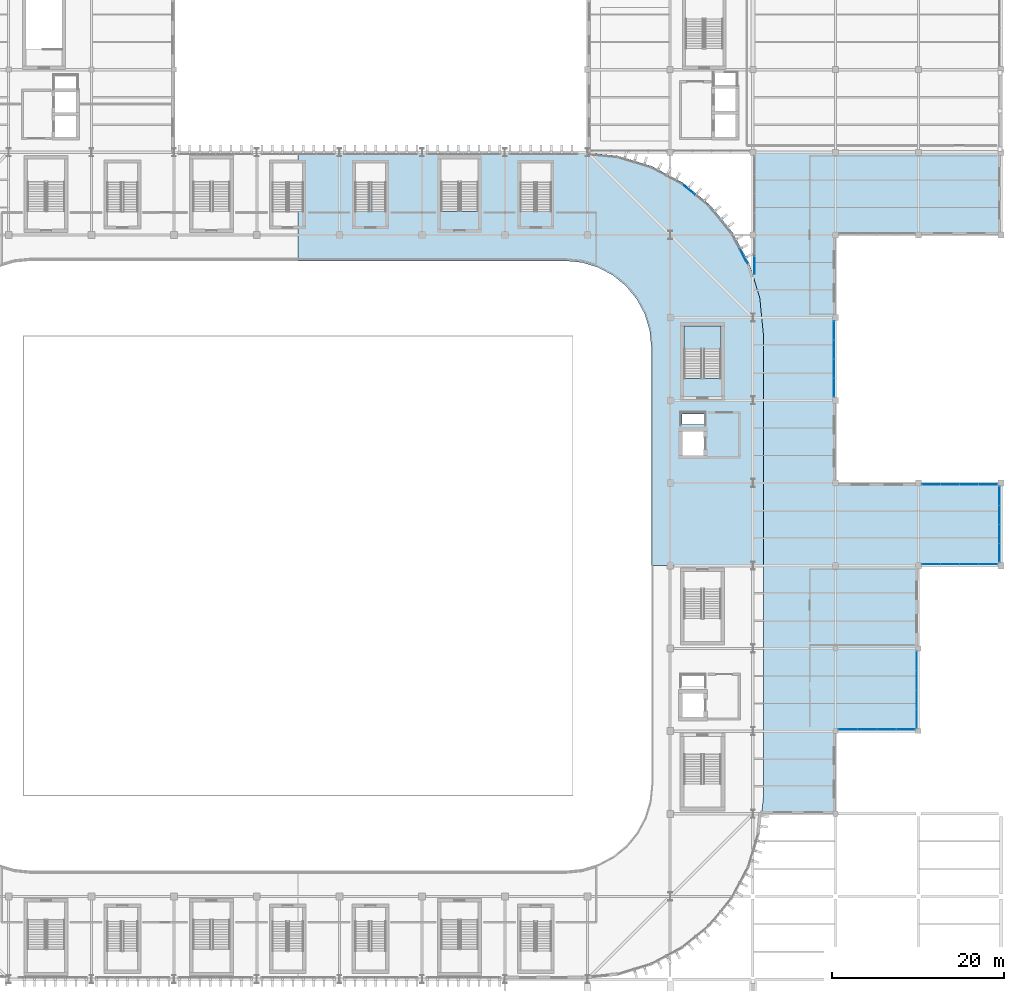
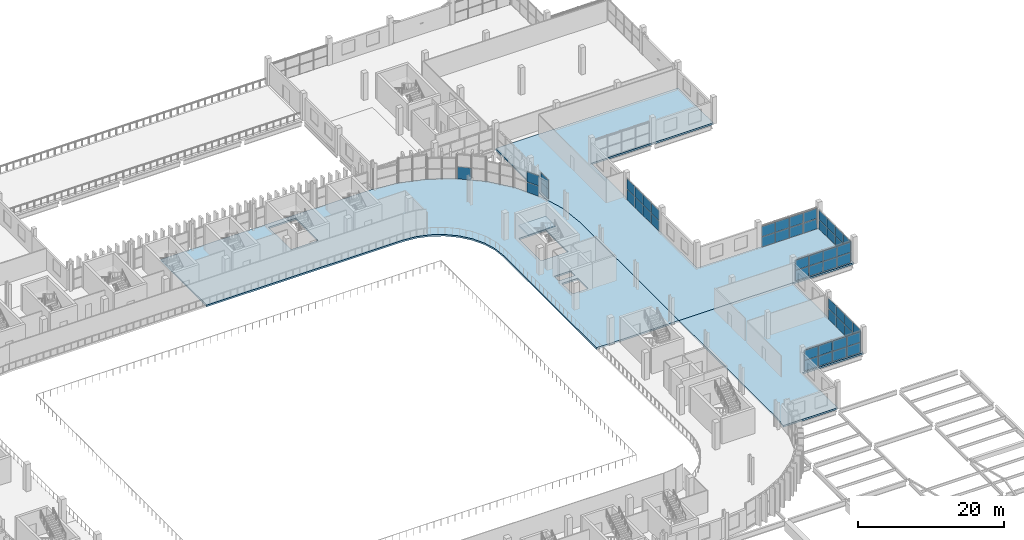
# One storey, part 40 of 75: 53 plates, 4 slabs, 10 elements without a shape of their own.
"""IFC4 building model written with IfcOpenShell, lengths in metres."""

from ifc_helpers import new_model, si_unit, direction, frame, origin, origin_2d, place, context, subcontext, project, spatial, polyline, rectangle, outline, extrude, material, layer, layer_set, type_object, element, aggregate, save


model = new_model("IFC4")

# Units and contexts
model_context = context("Model", 3, precision=1e-05, world=origin(), true_north=direction((0.0, 1.0)))
body_context = subcontext(model_context, "Body", "Model", "MODEL_VIEW")
ifc_project = project(units=[si_unit("LENGTHUNIT", "METRE"), si_unit("AREAUNIT", "SQUARE_METRE"), si_unit("VOLUMEUNIT", "CUBIC_METRE"), si_unit("PLANEANGLEUNIT", "RADIAN"), si_unit("MASSUNIT", "GRAM", prefix="KILO")], contexts=[model_context])

# Site, building, storey
site_placement = place(None, origin())
site = spatial("IfcSite", under=ifc_project, at=site_placement, CompositionType="ELEMENT")
building_placement = place(site_placement, origin())
building = spatial("IfcBuilding", under=site, at=building_placement, Name="Caelomonte Colonnade Arena", CompositionType="ELEMENT")
storey_placement = place(building_placement, frame((0.0, 0.0, 14.10009765625)))
storey = spatial("IfcBuildingStorey", under=building, at=storey_placement, Name="L03", CompositionType="ELEMENT", Elevation=14.10009765625)

# Curtain wall, plates
ifc_material_1 = material(Name="Bronze anodised aluminium and low-E glazing", Category="aluminium")
ifc_layer_1 = layer(ifc_material_1, 0.179931640625)
ifc_layer_set_1 = layer_set([ifc_layer_1], Name="Bronze anodised aluminium and low-E glazing")
curtain_wall_type_1 = type_object("IfcCurtainWallType", Name="ENV-CW-CW-L03-96-36", PredefinedType="USERDEFINED", material=ifc_layer_set_1)
curtain_wall_1_placement = place(storey_placement, origin())
curtain_wall_1 = element("IfcCurtainWall", 1, at=curtain_wall_1_placement, inside=storey, type_object=curtain_wall_type_1, Name="L03 unitized curtain wall CW-L03-1776-0482", ObjectType="UNITIZED CURTAIN WALL", PredefinedType="USERDEFINED")
ifc_material_2 = material(Name="Solar-control bronze low-E double glazing", Category="glass")
ifc_layer_2 = layer(ifc_material_2, 0.035888671875)
ifc_layer_set_2 = layer_set([ifc_layer_2], Name="Solar-control bronze low-E double glazing")
plate_type = type_object("IfcPlateType", Name="ENV-CW-PAN36", PredefinedType="CURTAIN_PANEL", material=ifc_layer_set_2)
plate_1_placement = place(storey_placement, frame((174.25634765625, 48.179931640625, 0.06494140625), z_axis=(0.0, 0.0, 1.0), x_axis=(1.0, 0.0, 0.0)))
plate_1 = element("IfcPlate", 2, at=plate_1_placement, type_object=plate_type, Name="CW-L03-96-36 panel 1.1", PredefinedType="CURTAIN_PANEL", context=body_context, shape_type="SweptSolid", body=[
    extrude(rectangle(XDim=2.142578125, YDim=0.035888671875, at=origin_2d()), origin(), (0.0, 0.0, 1.0), 1.680908203125),
])
plate_2_placement = place(storey_placement, frame((174.25634765625, 48.179931640625, 1.810546875), z_axis=(0.0, 0.0, 1.0), x_axis=(1.0, 0.0, 0.0)))
plate_2 = element("IfcPlate", 3, at=plate_2_placement, type_object=plate_type, Name="CW-L03-96-36 panel 1.2", PredefinedType="CURTAIN_PANEL", context=body_context, shape_type="SweptSolid", body=[
    extrude(rectangle(XDim=2.142578125, YDim=0.035888671875, at=origin_2d()), origin(), (0.0, 0.0, 1.0), 1.680908203125),
])
plate_3_placement = place(storey_placement, frame((176.47998046875, 48.179931640625, 0.06494140625), z_axis=(0.0, 0.0, 1.0), x_axis=(1.0, 0.0, 0.0)))
plate_3 = element("IfcPlate", 4, at=plate_3_placement, type_object=plate_type, Name="CW-L03-96-36 panel 2.1", PredefinedType="CURTAIN_PANEL", context=body_context, shape_type="SweptSolid", body=[
    extrude(rectangle(XDim=2.175048828125, YDim=0.035888671875, at=origin_2d()), origin(), (0.0, 0.0, 1.0), 1.680908203125),
])
plate_4_placement = place(storey_placement, frame((176.47998046875, 48.179931640625, 1.810546875), z_axis=(0.0, 0.0, 1.0), x_axis=(1.0, 0.0, 0.0)))
plate_4 = element("IfcPlate", 5, at=plate_4_placement, type_object=plate_type, Name="CW-L03-96-36 panel 2.2", PredefinedType="CURTAIN_PANEL", context=body_context, shape_type="SweptSolid", body=[
    extrude(rectangle(XDim=2.175048828125, YDim=0.035888671875, at=origin_2d()), origin(), (0.0, 0.0, 1.0), 1.680908203125),
])
plate_5_placement = place(storey_placement, frame((178.719970703125, 48.179931640625, 0.06494140625), z_axis=(0.0, 0.0, 1.0), x_axis=(1.0, 0.0, 0.0)))
plate_5 = element("IfcPlate", 6, at=plate_5_placement, type_object=plate_type, Name="CW-L03-96-36 panel 3.1", PredefinedType="CURTAIN_PANEL", context=body_context, shape_type="SweptSolid", body=[
    extrude(rectangle(XDim=2.175048828125, YDim=0.035888671875, at=origin_2d()), origin(), (0.0, 0.0, 1.0), 1.680908203125),
])
plate_6_placement = place(storey_placement, frame((178.719970703125, 48.179931640625, 1.810546875), z_axis=(0.0, 0.0, 1.0), x_axis=(1.0, 0.0, 0.0)))
plate_6 = element("IfcPlate", 7, at=plate_6_placement, type_object=plate_type, Name="CW-L03-96-36 panel 3.2", PredefinedType="CURTAIN_PANEL", context=body_context, shape_type="SweptSolid", body=[
    extrude(rectangle(XDim=2.175048828125, YDim=0.035888671875, at=origin_2d()), origin(), (0.0, 0.0, 1.0), 1.680908203125),
])
plate_7_placement = place(storey_placement, frame((180.94384765625, 48.179931640625, 0.06494140625), z_axis=(0.0, 0.0, 1.0), x_axis=(1.0, 0.0, 0.0)))
plate_7 = element("IfcPlate", 8, at=plate_7_placement, type_object=plate_type, Name="CW-L03-96-36 panel 4.1", PredefinedType="CURTAIN_PANEL", context=body_context, shape_type="SweptSolid", body=[
    extrude(rectangle(XDim=2.142578125, YDim=0.035888671875, at=origin_2d()), origin(), (0.0, 0.0, 1.0), 1.680908203125),
])
plate_8_placement = place(storey_placement, frame((180.94384765625, 48.179931640625, 1.810546875), z_axis=(0.0, 0.0, 1.0), x_axis=(1.0, 0.0, 0.0)))
plate_8 = element("IfcPlate", 9, at=plate_8_placement, type_object=plate_type, Name="CW-L03-96-36 panel 4.2", PredefinedType="CURTAIN_PANEL", context=body_context, shape_type="SweptSolid", body=[
    extrude(rectangle(XDim=2.142578125, YDim=0.035888671875, at=origin_2d()), origin(), (0.0, 0.0, 1.0), 1.680908203125),
])
aggregate(curtain_wall_1, [plate_1, plate_2, plate_3, plate_4, plate_5, plate_6, plate_7, plate_8])

curtain_wall_2_placement = place(storey_placement, origin())
curtain_wall_2 = element("IfcCurtainWall", 10, at=curtain_wall_2_placement, inside=storey, type_object=curtain_wall_type_1, Name="L03 unitized curtain wall CW-L03-1822-0528", ObjectType="UNITIZED CURTAIN WALL", PredefinedType="USERDEFINED")
plate_9_placement = place(storey_placement, frame((182.219970703125, 49.456298828125, 0.06494140625), z_axis=(0.0, 0.0, 1.0), x_axis=(0.0, 1.0, 0.0)))
plate_9 = element("IfcPlate", 11, at=plate_9_placement, type_object=plate_type, Name="CW-L03-96-36 panel 1.1", PredefinedType="CURTAIN_PANEL", context=body_context, shape_type="SweptSolid", body=[
    extrude(rectangle(XDim=2.142578125, YDim=0.035888671875, at=origin_2d()), origin(), (0.0, 0.0, 1.0), 1.721435546875),
])
plate_10_placement = place(storey_placement, frame((182.219970703125, 49.456298828125, 1.8515625), z_axis=(0.0, 0.0, 1.0), x_axis=(0.0, 1.0, 0.0)))
plate_10 = element("IfcPlate", 12, at=plate_10_placement, type_object=plate_type, Name="CW-L03-96-36 panel 1.2", PredefinedType="CURTAIN_PANEL", context=body_context, shape_type="SweptSolid", body=[
    extrude(rectangle(XDim=2.142578125, YDim=0.035888671875, at=origin_2d()), origin(), (0.0, 0.0, 1.0), 1.721435546875),
])
plate_11_placement = place(storey_placement, frame((182.219970703125, 51.679931640625, 0.06494140625), z_axis=(0.0, 0.0, 1.0), x_axis=(0.0, 1.0, 0.0)))
plate_11 = element("IfcPlate", 13, at=plate_11_placement, type_object=plate_type, Name="CW-L03-96-36 panel 2.1", PredefinedType="CURTAIN_PANEL", context=body_context, shape_type="SweptSolid", body=[
    extrude(rectangle(XDim=2.175048828125, YDim=0.035888671875, at=origin_2d()), origin(), (0.0, 0.0, 1.0), 1.721435546875),
])
plate_12_placement = place(storey_placement, frame((182.219970703125, 51.679931640625, 1.8515625), z_axis=(0.0, 0.0, 1.0), x_axis=(0.0, 1.0, 0.0)))
plate_12 = element("IfcPlate", 14, at=plate_12_placement, type_object=plate_type, Name="CW-L03-96-36 panel 2.2", PredefinedType="CURTAIN_PANEL", context=body_context, shape_type="SweptSolid", body=[
    extrude(rectangle(XDim=2.175048828125, YDim=0.035888671875, at=origin_2d()), origin(), (0.0, 0.0, 1.0), 1.721435546875),
])
plate_13_placement = place(storey_placement, frame((182.219970703125, 53.919921875, 0.06494140625), z_axis=(0.0, 0.0, 1.0), x_axis=(0.0, 1.0, 0.0)))
plate_13 = element("IfcPlate", 15, at=plate_13_placement, type_object=plate_type, Name="CW-L03-96-36 panel 3.1", PredefinedType="CURTAIN_PANEL", context=body_context, shape_type="SweptSolid", body=[
    extrude(rectangle(XDim=2.175048828125, YDim=0.035888671875, at=origin_2d()), origin(), (0.0, 0.0, 1.0), 1.721435546875),
])
plate_14_placement = place(storey_placement, frame((182.219970703125, 53.919921875, 1.8515625), z_axis=(0.0, 0.0, 1.0), x_axis=(0.0, 1.0, 0.0)))
plate_14 = element("IfcPlate", 16, at=plate_14_placement, type_object=plate_type, Name="CW-L03-96-36 panel 3.2", PredefinedType="CURTAIN_PANEL", context=body_context, shape_type="SweptSolid", body=[
    extrude(rectangle(XDim=2.175048828125, YDim=0.035888671875, at=origin_2d()), origin(), (0.0, 0.0, 1.0), 1.721435546875),
])
plate_15_placement = place(storey_placement, frame((182.219970703125, 56.143798828125, 0.06494140625), z_axis=(0.0, 0.0, 1.0), x_axis=(0.0, 1.0, 0.0)))
plate_15 = element("IfcPlate", 17, at=plate_15_placement, type_object=plate_type, Name="CW-L03-96-36 panel 4.1", PredefinedType="CURTAIN_PANEL", context=body_context, shape_type="SweptSolid", body=[
    extrude(rectangle(XDim=2.142578125, YDim=0.035888671875, at=origin_2d()), origin(), (0.0, 0.0, 1.0), 1.721435546875),
])
plate_16_placement = place(storey_placement, frame((182.219970703125, 56.143798828125, 1.8515625), z_axis=(0.0, 0.0, 1.0), x_axis=(0.0, 1.0, 0.0)))
plate_16 = element("IfcPlate", 18, at=plate_16_placement, type_object=plate_type, Name="CW-L03-96-36 panel 4.2", PredefinedType="CURTAIN_PANEL", context=body_context, shape_type="SweptSolid", body=[
    extrude(rectangle(XDim=2.142578125, YDim=0.035888671875, at=origin_2d()), origin(), (0.0, 0.0, 1.0), 1.721435546875),
])
aggregate(curtain_wall_2, [plate_9, plate_10, plate_11, plate_12, plate_13, plate_14, plate_15, plate_16])

curtain_wall_3_placement = place(storey_placement, origin())
curtain_wall_3 = element("IfcCurtainWall", 19, at=curtain_wall_3_placement, inside=storey, type_object=curtain_wall_type_1, Name="L03 unitized curtain wall CW-L03-1872-0674", ObjectType="UNITIZED CURTAIN WALL", PredefinedType="USERDEFINED")
plate_17_placement = place(storey_placement, frame((183.893798828125, 67.3798828125, 0.06494140625), z_axis=(0.0, 0.0, 1.0), x_axis=(1.0, 0.0, 0.0)))
plate_17 = element("IfcPlate", 20, at=plate_17_placement, type_object=plate_type, Name="CW-L03-96-36 panel 1.1", PredefinedType="CURTAIN_PANEL", context=body_context, shape_type="SweptSolid", body=[
    extrude(rectangle(XDim=2.117431640625, YDim=0.035888671875, at=origin_2d()), origin(), (0.0, 0.0, 1.0), 1.680908203125),
])
plate_18_placement = place(storey_placement, frame((183.893798828125, 67.3798828125, 1.810546875), z_axis=(0.0, 0.0, 1.0), x_axis=(1.0, 0.0, 0.0)))
plate_18 = element("IfcPlate", 21, at=plate_18_placement, type_object=plate_type, Name="CW-L03-96-36 panel 1.2", PredefinedType="CURTAIN_PANEL", context=body_context, shape_type="SweptSolid", body=[
    extrude(rectangle(XDim=2.117431640625, YDim=0.035888671875, at=origin_2d()), origin(), (0.0, 0.0, 1.0), 1.680908203125),
])
plate_19_placement = place(storey_placement, frame((186.092529296875, 67.3798828125, 0.06494140625), z_axis=(0.0, 0.0, 1.0), x_axis=(1.0, 0.0, 0.0)))
plate_19 = element("IfcPlate", 22, at=plate_19_placement, type_object=plate_type, Name="CW-L03-96-36 panel 2.1", PredefinedType="CURTAIN_PANEL", context=body_context, shape_type="SweptSolid", body=[
    extrude(rectangle(XDim=2.14990234375, YDim=0.035888671875, at=origin_2d()), origin(), (0.0, 0.0, 1.0), 1.680908203125),
])
plate_20_placement = place(storey_placement, frame((186.092529296875, 67.3798828125, 1.810546875), z_axis=(0.0, 0.0, 1.0), x_axis=(1.0, 0.0, 0.0)))
plate_20 = element("IfcPlate", 23, at=plate_20_placement, type_object=plate_type, Name="CW-L03-96-36 panel 2.2", PredefinedType="CURTAIN_PANEL", context=body_context, shape_type="SweptSolid", body=[
    extrude(rectangle(XDim=2.14990234375, YDim=0.035888671875, at=origin_2d()), origin(), (0.0, 0.0, 1.0), 1.680908203125),
])
plate_21_placement = place(storey_placement, frame((188.3076171875, 67.3798828125, 0.06494140625), z_axis=(0.0, 0.0, 1.0), x_axis=(1.0, 0.0, 0.0)))
plate_21 = element("IfcPlate", 24, at=plate_21_placement, type_object=plate_type, Name="CW-L03-96-36 panel 3.1", PredefinedType="CURTAIN_PANEL", context=body_context, shape_type="SweptSolid", body=[
    extrude(rectangle(XDim=2.14990234375, YDim=0.035888671875, at=origin_2d()), origin(), (0.0, 0.0, 1.0), 1.680908203125),
])
plate_22_placement = place(storey_placement, frame((188.3076171875, 67.3798828125, 1.810546875), z_axis=(0.0, 0.0, 1.0), x_axis=(1.0, 0.0, 0.0)))
plate_22 = element("IfcPlate", 25, at=plate_22_placement, type_object=plate_type, Name="CW-L03-96-36 panel 3.2", PredefinedType="CURTAIN_PANEL", context=body_context, shape_type="SweptSolid", body=[
    extrude(rectangle(XDim=2.14990234375, YDim=0.035888671875, at=origin_2d()), origin(), (0.0, 0.0, 1.0), 1.680908203125),
])
plate_23_placement = place(storey_placement, frame((190.50634765625, 67.3798828125, 0.06494140625), z_axis=(0.0, 0.0, 1.0), x_axis=(1.0, 0.0, 0.0)))
plate_23 = element("IfcPlate", 26, at=plate_23_placement, type_object=plate_type, Name="CW-L03-96-36 panel 4.1", PredefinedType="CURTAIN_PANEL", context=body_context, shape_type="SweptSolid", body=[
    extrude(rectangle(XDim=2.117431640625, YDim=0.035888671875, at=origin_2d()), origin(), (0.0, 0.0, 1.0), 1.680908203125),
])
plate_24_placement = place(storey_placement, frame((190.50634765625, 67.3798828125, 1.810546875), z_axis=(0.0, 0.0, 1.0), x_axis=(1.0, 0.0, 0.0)))
plate_24 = element("IfcPlate", 27, at=plate_24_placement, type_object=plate_type, Name="CW-L03-96-36 panel 4.2", PredefinedType="CURTAIN_PANEL", context=body_context, shape_type="SweptSolid", body=[
    extrude(rectangle(XDim=2.117431640625, YDim=0.035888671875, at=origin_2d()), origin(), (0.0, 0.0, 1.0), 1.680908203125),
])
aggregate(curtain_wall_3, [plate_17, plate_18, plate_19, plate_20, plate_21, plate_22, plate_23, plate_24])

ifc_layer_3 = layer(ifc_material_1, 0.179931640625)
ifc_layer_set_3 = layer_set([ifc_layer_3], Name="Bronze anodised aluminium and low-E glazing")
curtain_wall_type_2 = type_object("IfcCurtainWallType", Name="ENV-CW-CW-L03-96-33", PredefinedType="USERDEFINED", material=ifc_layer_set_3)
curtain_wall_4_placement = place(storey_placement, origin())
curtain_wall_4 = element("IfcCurtainWall", 28, at=curtain_wall_4_placement, inside=storey, type_object=curtain_wall_type_2, Name="L03 unitized curtain wall CW-L03-1918-0720", ObjectType="UNITIZED CURTAIN WALL", PredefinedType="USERDEFINED")
plate_25_placement = place(storey_placement, frame((191.820068359375, 68.69384765625, 0.06494140625), z_axis=(0.0, 0.0, 1.0), x_axis=(0.0, 1.0, 0.0)))
plate_25 = element("IfcPlate", 29, at=plate_25_placement, type_object=plate_type, Name="CW-L03-96-33 panel 1.1", PredefinedType="CURTAIN_PANEL", context=body_context, shape_type="SweptSolid", body=[
    extrude(rectangle(XDim=2.117431640625, YDim=0.035888671875, at=origin_2d()), origin(), (0.0, 0.0, 1.0), 1.558837890625),
])
plate_26_placement = place(storey_placement, frame((191.820068359375, 68.69384765625, 1.68896484375), z_axis=(0.0, 0.0, 1.0), x_axis=(0.0, 1.0, 0.0)))
plate_26 = element("IfcPlate", 30, at=plate_26_placement, type_object=plate_type, Name="CW-L03-96-33 panel 1.2", PredefinedType="CURTAIN_PANEL", context=body_context, shape_type="SweptSolid", body=[
    extrude(rectangle(XDim=2.117431640625, YDim=0.035888671875, at=origin_2d()), origin(), (0.0, 0.0, 1.0), 1.558837890625),
])
plate_27_placement = place(storey_placement, frame((191.820068359375, 70.892578125, 0.06494140625), z_axis=(0.0, 0.0, 1.0), x_axis=(0.0, 1.0, 0.0)))
plate_27 = element("IfcPlate", 31, at=plate_27_placement, type_object=plate_type, Name="CW-L03-96-33 panel 2.1", PredefinedType="CURTAIN_PANEL", context=body_context, shape_type="SweptSolid", body=[
    extrude(rectangle(XDim=2.14990234375, YDim=0.035888671875, at=origin_2d()), origin(), (0.0, 0.0, 1.0), 1.558837890625),
])
plate_28_placement = place(storey_placement, frame((191.820068359375, 70.892578125, 1.68896484375), z_axis=(0.0, 0.0, 1.0), x_axis=(0.0, 1.0, 0.0)))
plate_28 = element("IfcPlate", 32, at=plate_28_placement, type_object=plate_type, Name="CW-L03-96-33 panel 2.2", PredefinedType="CURTAIN_PANEL", context=body_context, shape_type="SweptSolid", body=[
    extrude(rectangle(XDim=2.14990234375, YDim=0.035888671875, at=origin_2d()), origin(), (0.0, 0.0, 1.0), 1.558837890625),
])
plate_29_placement = place(storey_placement, frame((191.820068359375, 73.107421875, 0.06494140625), z_axis=(0.0, 0.0, 1.0), x_axis=(0.0, 1.0, 0.0)))
plate_29 = element("IfcPlate", 33, at=plate_29_placement, type_object=plate_type, Name="CW-L03-96-33 panel 3.1", PredefinedType="CURTAIN_PANEL", context=body_context, shape_type="SweptSolid", body=[
    extrude(rectangle(XDim=2.14990234375, YDim=0.035888671875, at=origin_2d()), origin(), (0.0, 0.0, 1.0), 1.558837890625),
])
plate_30_placement = place(storey_placement, frame((191.820068359375, 73.107421875, 1.68896484375), z_axis=(0.0, 0.0, 1.0), x_axis=(0.0, 1.0, 0.0)))
plate_30 = element("IfcPlate", 34, at=plate_30_placement, type_object=plate_type, Name="CW-L03-96-33 panel 3.2", PredefinedType="CURTAIN_PANEL", context=body_context, shape_type="SweptSolid", body=[
    extrude(rectangle(XDim=2.14990234375, YDim=0.035888671875, at=origin_2d()), origin(), (0.0, 0.0, 1.0), 1.558837890625),
])
plate_31_placement = place(storey_placement, frame((191.820068359375, 75.30615234375, 0.06494140625), z_axis=(0.0, 0.0, 1.0), x_axis=(0.0, 1.0, 0.0)))
plate_31 = element("IfcPlate", 35, at=plate_31_placement, type_object=plate_type, Name="CW-L03-96-33 panel 4.1", PredefinedType="CURTAIN_PANEL", context=body_context, shape_type="SweptSolid", body=[
    extrude(rectangle(XDim=2.117431640625, YDim=0.035888671875, at=origin_2d()), origin(), (0.0, 0.0, 1.0), 1.558837890625),
])
plate_32_placement = place(storey_placement, frame((191.820068359375, 75.30615234375, 1.68896484375), z_axis=(0.0, 0.0, 1.0), x_axis=(0.0, 1.0, 0.0)))
plate_32 = element("IfcPlate", 36, at=plate_32_placement, type_object=plate_type, Name="CW-L03-96-33 panel 4.2", PredefinedType="CURTAIN_PANEL", context=body_context, shape_type="SweptSolid", body=[
    extrude(rectangle(XDim=2.117431640625, YDim=0.035888671875, at=origin_2d()), origin(), (0.0, 0.0, 1.0), 1.558837890625),
])
aggregate(curtain_wall_4, [plate_25, plate_26, plate_27, plate_28, plate_29, plate_30, plate_31, plate_32])

curtain_wall_5_placement = place(storey_placement, origin())
curtain_wall_5 = element("IfcCurtainWall", 37, at=curtain_wall_5_placement, inside=storey, type_object=curtain_wall_type_1, Name="L03 unitized curtain wall CW-L03-1872-0766", ObjectType="UNITIZED CURTAIN WALL", PredefinedType="USERDEFINED")
plate_33_placement = place(storey_placement, frame((190.50634765625, 76.6201171875, 0.06494140625), z_axis=(0.0, 0.0, 1.0), x_axis=(-1.0, 0.0, 0.0)))
plate_33 = element("IfcPlate", 38, at=plate_33_placement, type_object=plate_type, Name="CW-L03-96-36 panel 1.1", PredefinedType="CURTAIN_PANEL", context=body_context, shape_type="SweptSolid", body=[
    extrude(rectangle(XDim=2.117431640625, YDim=0.035888671875, at=origin_2d()), origin(), (0.0, 0.0, 1.0), 1.680908203125),
])
plate_34_placement = place(storey_placement, frame((190.50634765625, 76.6201171875, 1.810546875), z_axis=(0.0, 0.0, 1.0), x_axis=(-1.0, 0.0, 0.0)))
plate_34 = element("IfcPlate", 39, at=plate_34_placement, type_object=plate_type, Name="CW-L03-96-36 panel 1.2", PredefinedType="CURTAIN_PANEL", context=body_context, shape_type="SweptSolid", body=[
    extrude(rectangle(XDim=2.117431640625, YDim=0.035888671875, at=origin_2d()), origin(), (0.0, 0.0, 1.0), 1.680908203125),
])
plate_35_placement = place(storey_placement, frame((188.3076171875, 76.6201171875, 0.06494140625), z_axis=(0.0, 0.0, 1.0), x_axis=(-1.0, 0.0, 0.0)))
plate_35 = element("IfcPlate", 40, at=plate_35_placement, type_object=plate_type, Name="CW-L03-96-36 panel 2.1", PredefinedType="CURTAIN_PANEL", context=body_context, shape_type="SweptSolid", body=[
    extrude(rectangle(XDim=2.14990234375, YDim=0.035888671875, at=origin_2d()), origin(), (0.0, 0.0, 1.0), 1.680908203125),
])
plate_36_placement = place(storey_placement, frame((188.3076171875, 76.6201171875, 1.810546875), z_axis=(0.0, 0.0, 1.0), x_axis=(-1.0, 0.0, 0.0)))
plate_36 = element("IfcPlate", 41, at=plate_36_placement, type_object=plate_type, Name="CW-L03-96-36 panel 2.2", PredefinedType="CURTAIN_PANEL", context=body_context, shape_type="SweptSolid", body=[
    extrude(rectangle(XDim=2.14990234375, YDim=0.035888671875, at=origin_2d()), origin(), (0.0, 0.0, 1.0), 1.680908203125),
])
plate_37_placement = place(storey_placement, frame((186.092529296875, 76.6201171875, 0.06494140625), z_axis=(0.0, 0.0, 1.0), x_axis=(-1.0, 0.0, 0.0)))
plate_37 = element("IfcPlate", 42, at=plate_37_placement, type_object=plate_type, Name="CW-L03-96-36 panel 3.1", PredefinedType="CURTAIN_PANEL", context=body_context, shape_type="SweptSolid", body=[
    extrude(rectangle(XDim=2.14990234375, YDim=0.035888671875, at=origin_2d()), origin(), (0.0, 0.0, 1.0), 1.680908203125),
])
plate_38_placement = place(storey_placement, frame((186.092529296875, 76.6201171875, 1.810546875), z_axis=(0.0, 0.0, 1.0), x_axis=(-1.0, 0.0, 0.0)))
plate_38 = element("IfcPlate", 43, at=plate_38_placement, type_object=plate_type, Name="CW-L03-96-36 panel 3.2", PredefinedType="CURTAIN_PANEL", context=body_context, shape_type="SweptSolid", body=[
    extrude(rectangle(XDim=2.14990234375, YDim=0.035888671875, at=origin_2d()), origin(), (0.0, 0.0, 1.0), 1.680908203125),
])
plate_39_placement = place(storey_placement, frame((183.893798828125, 76.6201171875, 0.06494140625), z_axis=(0.0, 0.0, 1.0), x_axis=(-1.0, 0.0, 0.0)))
plate_39 = element("IfcPlate", 44, at=plate_39_placement, type_object=plate_type, Name="CW-L03-96-36 panel 4.1", PredefinedType="CURTAIN_PANEL", context=body_context, shape_type="SweptSolid", body=[
    extrude(rectangle(XDim=2.117431640625, YDim=0.035888671875, at=origin_2d()), origin(), (0.0, 0.0, 1.0), 1.680908203125),
])
plate_40_placement = place(storey_placement, frame((183.893798828125, 76.6201171875, 1.810546875), z_axis=(0.0, 0.0, 1.0), x_axis=(-1.0, 0.0, 0.0)))
plate_40 = element("IfcPlate", 45, at=plate_40_placement, type_object=plate_type, Name="CW-L03-96-36 panel 4.2", PredefinedType="CURTAIN_PANEL", context=body_context, shape_type="SweptSolid", body=[
    extrude(rectangle(XDim=2.117431640625, YDim=0.035888671875, at=origin_2d()), origin(), (0.0, 0.0, 1.0), 1.680908203125),
])
aggregate(curtain_wall_5, [plate_33, plate_34, plate_35, plate_36, plate_37, plate_38, plate_39, plate_40])

curtain_wall_6_placement = place(storey_placement, origin())
curtain_wall_6 = element("IfcCurtainWall", 46, at=curtain_wall_6_placement, inside=storey, type_object=curtain_wall_type_1, Name="L03 unitized curtain wall CW-L03-1726-0912", ObjectType="UNITIZED CURTAIN WALL", PredefinedType="USERDEFINED")
plate_41_placement = place(storey_placement, frame((172.6201171875, 87.893798828125, 0.06494140625), z_axis=(0.0, 0.0, 1.0), x_axis=(0.0, 1.0, 0.0)))
plate_41 = element("IfcPlate", 47, at=plate_41_placement, type_object=plate_type, Name="CW-L03-96-36 panel 1.1", PredefinedType="CURTAIN_PANEL", context=body_context, shape_type="SweptSolid", body=[
    extrude(rectangle(XDim=2.117431640625, YDim=0.035888671875, at=origin_2d()), origin(), (0.0, 0.0, 1.0), 1.721435546875),
])
plate_42_placement = place(storey_placement, frame((172.6201171875, 87.893798828125, 1.8515625), z_axis=(0.0, 0.0, 1.0), x_axis=(0.0, 1.0, 0.0)))
plate_42 = element("IfcPlate", 48, at=plate_42_placement, type_object=plate_type, Name="CW-L03-96-36 panel 1.2", PredefinedType="CURTAIN_PANEL", context=body_context, shape_type="SweptSolid", body=[
    extrude(rectangle(XDim=2.117431640625, YDim=0.035888671875, at=origin_2d()), origin(), (0.0, 0.0, 1.0), 1.721435546875),
])
plate_43_placement = place(storey_placement, frame((172.6201171875, 90.092529296875, 0.06494140625), z_axis=(0.0, 0.0, 1.0), x_axis=(0.0, 1.0, 0.0)))
plate_43 = element("IfcPlate", 49, at=plate_43_placement, type_object=plate_type, Name="CW-L03-96-36 panel 2.1", PredefinedType="CURTAIN_PANEL", context=body_context, shape_type="SweptSolid", body=[
    extrude(rectangle(XDim=2.14990234375, YDim=0.035888671875, at=origin_2d()), origin(), (0.0, 0.0, 1.0), 1.721435546875),
])
plate_44_placement = place(storey_placement, frame((172.6201171875, 90.092529296875, 1.8515625), z_axis=(0.0, 0.0, 1.0), x_axis=(0.0, 1.0, 0.0)))
plate_44 = element("IfcPlate", 50, at=plate_44_placement, type_object=plate_type, Name="CW-L03-96-36 panel 2.2", PredefinedType="CURTAIN_PANEL", context=body_context, shape_type="SweptSolid", body=[
    extrude(rectangle(XDim=2.14990234375, YDim=0.035888671875, at=origin_2d()), origin(), (0.0, 0.0, 1.0), 1.721435546875),
])
plate_45_placement = place(storey_placement, frame((172.6201171875, 92.3076171875, 0.06494140625), z_axis=(0.0, 0.0, 1.0), x_axis=(0.0, 1.0, 0.0)))
plate_45 = element("IfcPlate", 51, at=plate_45_placement, type_object=plate_type, Name="CW-L03-96-36 panel 3.1", PredefinedType="CURTAIN_PANEL", context=body_context, shape_type="SweptSolid", body=[
    extrude(rectangle(XDim=2.14990234375, YDim=0.035888671875, at=origin_2d()), origin(), (0.0, 0.0, 1.0), 1.721435546875),
])
plate_46_placement = place(storey_placement, frame((172.6201171875, 92.3076171875, 1.8515625), z_axis=(0.0, 0.0, 1.0), x_axis=(0.0, 1.0, 0.0)))
plate_46 = element("IfcPlate", 52, at=plate_46_placement, type_object=plate_type, Name="CW-L03-96-36 panel 3.2", PredefinedType="CURTAIN_PANEL", context=body_context, shape_type="SweptSolid", body=[
    extrude(rectangle(XDim=2.14990234375, YDim=0.035888671875, at=origin_2d()), origin(), (0.0, 0.0, 1.0), 1.721435546875),
])
plate_47_placement = place(storey_placement, frame((172.6201171875, 94.50634765625, 0.06494140625), z_axis=(0.0, 0.0, 1.0), x_axis=(0.0, 1.0, 0.0)))
plate_47 = element("IfcPlate", 53, at=plate_47_placement, type_object=plate_type, Name="CW-L03-96-36 panel 4.1", PredefinedType="CURTAIN_PANEL", context=body_context, shape_type="SweptSolid", body=[
    extrude(rectangle(XDim=2.117431640625, YDim=0.035888671875, at=origin_2d()), origin(), (0.0, 0.0, 1.0), 1.721435546875),
])
plate_48_placement = place(storey_placement, frame((172.6201171875, 94.50634765625, 1.8515625), z_axis=(0.0, 0.0, 1.0), x_axis=(0.0, 1.0, 0.0)))
plate_48 = element("IfcPlate", 54, at=plate_48_placement, type_object=plate_type, Name="CW-L03-96-36 panel 4.2", PredefinedType="CURTAIN_PANEL", context=body_context, shape_type="SweptSolid", body=[
    extrude(rectangle(XDim=2.117431640625, YDim=0.035888671875, at=origin_2d()), origin(), (0.0, 0.0, 1.0), 1.721435546875),
])
aggregate(curtain_wall_6, [plate_41, plate_42, plate_43, plate_44, plate_45, plate_46, plate_47, plate_48])

ifc_layer_4 = layer(ifc_material_1, 0.179931640625)
ifc_layer_set_4 = layer_set([ifc_layer_4], Name="Bronze anodised aluminium and low-E glazing")
curtain_wall_type_3 = type_object("IfcCurtainWallType", Name="ENV-CW-CW-L03-48-33", PredefinedType="USERDEFINED", material=ifc_layer_set_4)
curtain_wall_7_placement = place(storey_placement, origin())
curtain_wall_7 = element("IfcCurtainWall", 55, at=curtain_wall_7_placement, inside=storey, type_object=curtain_wall_type_3, Name="L03 unitized curtain wall CW-L03-1634-1032", ObjectType="UNITIZED CURTAIN WALL", PredefinedType="USERDEFINED")
plate_49_placement = place(storey_placement, frame((163.3798828125, 102.04833984375, 0.06982421875), z_axis=(0.0, 0.0, 1.0), x_axis=(0.0, -1.0, 0.0)))
plate_49 = element("IfcPlate", 56, at=plate_49_placement, type_object=plate_type, Name="CW-L03-48-33 panel 2.1", PredefinedType="CURTAIN_PANEL", context=body_context, shape_type="SweptSolid", body=[
    extrude(rectangle(XDim=2.02783203125, YDim=0.035888671875, at=origin_2d()), origin(), (0.0, 0.0, 1.0), 1.551513671875),
])
plate_50_placement = place(storey_placement, frame((163.3798828125, 102.04833984375, 1.69140625), z_axis=(0.0, 0.0, 1.0), x_axis=(0.0, -1.0, 0.0)))
plate_50 = element("IfcPlate", 57, at=plate_50_placement, type_object=plate_type, Name="CW-L03-48-33 panel 2.2", PredefinedType="CURTAIN_PANEL", context=body_context, shape_type="SweptSolid", body=[
    extrude(rectangle(XDim=2.02783203125, YDim=0.035888671875, at=origin_2d()), origin(), (0.0, 0.0, 1.0), 1.551513671875),
])
aggregate(curtain_wall_7, [plate_49, plate_50])

ifc_layer_5 = layer(ifc_material_1, 0.179931640625)
ifc_layer_set_5 = layer_set([ifc_layer_5], Name="Bronze anodised aluminium and low-E glazing")
curtain_wall_type_4 = type_object("IfcCurtainWallType", Name="ENV-CW-CW-L03-44-36", PredefinedType="USERDEFINED", material=ifc_layer_set_5)
curtain_wall_8_placement = place(storey_placement, origin())
curtain_wall_8 = element("IfcCurtainWall", 58, at=curtain_wall_8_placement, inside=storey, type_object=curtain_wall_type_4, Name="L03 unitized curtain wall CW-L03-1617-1040", ObjectType="UNITIZED CURTAIN WALL", PredefinedType="USERDEFINED")
plate_51_placement = place(storey_placement, frame((162.139892578125, 103.09228515625, 0.06982421875), z_axis=(0.0, 0.0, 1.0), x_axis=(-0.471394212466, 0.881922613642, 0.0)))
plate_51 = element("IfcPlate", 59, at=plate_51_placement, type_object=plate_type, Name="CW-L03-44-36 panel 1.1", PredefinedType="CURTAIN_PANEL", context=body_context, shape_type="SweptSolid", body=[
    extrude(rectangle(XDim=1.913330078125, YDim=0.035888671875, at=origin_2d()), origin(), (0.0, 0.0, 1.0), 1.67333984375),
])
plate_52_placement = place(storey_placement, frame((162.139892578125, 103.09228515625, 1.813232421875), z_axis=(0.0, 0.0, 1.0), x_axis=(-0.471394212466, 0.881922613642, 0.0)))
plate_52 = element("IfcPlate", 60, at=plate_52_placement, type_object=plate_type, Name="CW-L03-44-36 panel 1.2", PredefinedType="CURTAIN_PANEL", context=body_context, shape_type="SweptSolid", body=[
    extrude(rectangle(XDim=1.913330078125, YDim=0.035888671875, at=origin_2d()), origin(), (0.0, 0.0, 1.0), 1.67333984375),
])
aggregate(curtain_wall_8, [plate_51, plate_52])

# Curtain wall, plate
ifc_layer_6 = layer(ifc_material_1, 0.179931640625)
ifc_layer_set_6 = layer_set([ifc_layer_6], Name="Bronze anodised aluminium and low-E glazing")
curtain_wall_type_5 = type_object("IfcCurtainWallType", Name="ENV-CW-CW-L03-44-42", PredefinedType="USERDEFINED", material=ifc_layer_set_6)
curtain_wall_9_placement = place(storey_placement, origin())
curtain_wall_9 = element("IfcCurtainWall", 61, at=curtain_wall_9_placement, inside=storey, type_object=curtain_wall_type_5, Name="L03 unitized curtain wall CW-L03-1565-1102", ObjectType="UNITIZED CURTAIN WALL", PredefinedType="USERDEFINED")
plate_53_placement = place(storey_placement, frame((155.77734375, 110.844970703125, 0.06982421875), z_axis=(0.0, 0.0, 1.0), x_axis=(-0.772991751994, 0.634416071163, 0.0)))
plate_53 = element("IfcPlate", 62, at=plate_53_placement, type_object=plate_type, Name="CW-L03-44-42 panel 2.1", PredefinedType="CURTAIN_PANEL", context=body_context, shape_type="SweptSolid", body=[
    extrude(rectangle(XDim=1.913330078125, YDim=0.035888671875, at=origin_2d()), origin(), (0.0, 0.0, 1.0), 2.014892578125),
])
aggregate(curtain_wall_9, [plate_53])

# Stair, slab
ifc_material_3 = material(Name="Concrete C40/50", Category="concrete")
stair_type = type_object("IfcStairType", Name="INT-ST-WING45", PredefinedType="HALF_TURN_STAIR", material=ifc_material_3)
stair_placement = place(storey_placement, origin())
stair = element("IfcStair", 63, at=stair_placement, inside=storey, type_object=stair_type, Name="L03 Core C3 exit stair ST-03", PredefinedType="HALF_TURN_STAIR")
ifc_layer_7 = layer(ifc_material_3, 0.199951171875)
ifc_layer_set_7 = layer_set([ifc_layer_7], Name="Concrete C40/50")
slab_type_1 = type_object("IfcSlabType", Name="INT-SL-LAND20", PredefinedType="LANDING", material=ifc_layer_set_7)
slab_1_placement = place(storey_placement, frame((0.0, 0.0, 2.0498046875)))
slab_1 = element("IfcSlab", 64, at=slab_1_placement, type_object=slab_type_1, Name="ST-03 landing 1", PredefinedType="LANDING", context=body_context, shape_type="SweptSolid", body=[
    extrude(outline(polyline([(159.5, 92.3701171875), (159.5, 95.050048828125), (155.199951171875, 95.050048828125), (155.199951171875, 92.3701171875), (159.5, 92.3701171875)])), origin(), (0.0, 0.0, 1.0), 0.2001953125),
])
aggregate(stair, [slab_1])

# Slabs
ifc_layer_8 = layer(ifc_material_3, 0.280029296875)
ifc_layer_set_8 = layer_set([ifc_layer_8], Name="Concrete C40/50")
slab_type_2 = type_object("IfcSlabType", Name="STR-SL-FLR28", PredefinedType="FLOOR", material=ifc_layer_set_8)
slab_2_placement = place(storey_placement, frame((0.0, 0.0, -0.280029296875)))
element("IfcSlab", 65, at=slab_2_placement, inside=storey, type_object=slab_type_2, Name="L03 structural floor slab SL-L03-V1-NE", PredefinedType="FLOOR", context=body_context, shape_type="SweptSolid", body=[
    extrude(outline(polyline([(143.39990234375, 115.199951171875), (110.39990234375, 115.199951171875), (110.39990234375, 102.60009765625), (141.39990234375, 102.60009765625), (143.350830078125, 102.407958984375), (145.226806640625, 101.8388671875), (146.955810546875, 100.914794921875), (148.47119140625, 99.671142578125), (149.714599609375, 98.15576171875), (150.638916015625, 96.4267578125), (151.2080078125, 94.55078125), (151.39990234375, 92.60009765625), (151.39990234375, 67.199951171875), (164.39990234375, 67.199951171875), (164.39990234375, 94.199951171875), (163.99658203125, 98.296875), (162.801513671875, 102.236328125), (160.86083984375, 105.866943359375), (158.249267578125, 109.04931640625), (155.06689453125, 111.660888671875), (151.436279296875, 113.6015625), (147.496826171875, 114.79638671875), (143.39990234375, 115.199951171875)]), holes=[polyline([(154.97998046875, 79.97998046875), (154.97998046875, 82.820068359375), (157.52001953125, 82.820068359375), (157.52001953125, 79.97998046875), (154.97998046875, 79.97998046875)]), polyline([(154.97998046875, 83.580078125), (154.97998046875, 84.820068359375), (157.52001953125, 84.820068359375), (157.52001953125, 83.580078125), (154.97998046875, 83.580078125)]), polyline([(159.5, 88.949951171875), (155.199951171875, 88.949951171875), (155.199951171875, 95.050048828125), (159.5, 95.050048828125), (159.5, 88.949951171875)]), polyline([(127.0, 108.35009765625), (127.0, 114.449951171875), (131.300048828125, 114.449951171875), (131.300048828125, 108.35009765625), (127.0, 108.35009765625)])]), origin(), (0.0, 0.0, 1.0), 0.280029296875),
])
slab_3_placement = place(storey_placement, frame((0.0, 0.0, -0.280029296875)))
element("IfcSlab", 66, at=slab_3_placement, inside=storey, type_object=slab_type_2, Name="L03 structural floor slab SL-L03-V4-E", PredefinedType="FLOOR", context=body_context, shape_type="SweptSolid", body=[
    extrude(outline(polyline([(164.39990234375, 67.199951171875), (192.0, 67.199951171875), (192.0, 76.800048828125), (172.800048828125, 76.800048828125), (172.800048828125, 105.60009765625), (192.0, 105.60009765625), (192.0, 115.199951171875), (163.199951171875, 115.199951171875), (163.199951171875, 100.922607421875), (163.99658203125, 98.296875), (164.39990234375, 94.199951171875), (164.39990234375, 67.199951171875)])), origin(), (0.0, 0.0, 1.0), 0.280029296875),
])
slab_4_placement = place(storey_placement, frame((0.0, 0.0, -0.280029296875)))
element("IfcSlab", 67, at=slab_4_placement, inside=storey, type_object=slab_type_2, Name="L03 structural floor slab SL-L03-V4-LINK", PredefinedType="FLOOR", context=body_context, shape_type="SweptSolid", body=[
    extrude(outline(polyline([(182.39990234375, 67.199951171875), (164.39990234375, 67.199951171875), (164.39990234375, 40.199951171875), (164.22265625, 38.39990234375), (172.800048828125, 38.39990234375), (172.800048828125, 48.0), (182.39990234375, 48.0), (182.39990234375, 67.199951171875)])), origin(), (0.0, 0.0, 1.0), 0.280029296875),
])

save(model, "model.ifc")
